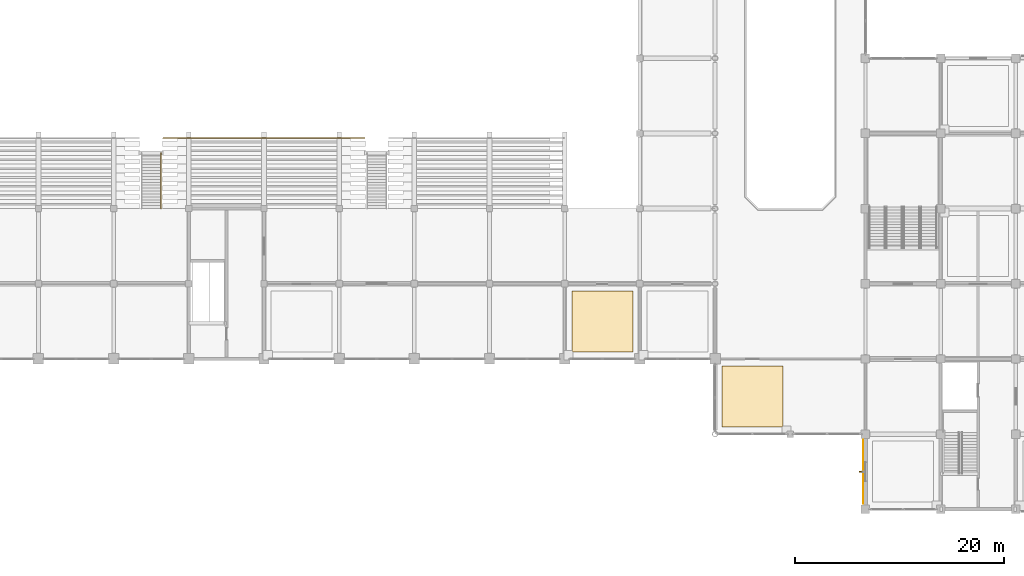
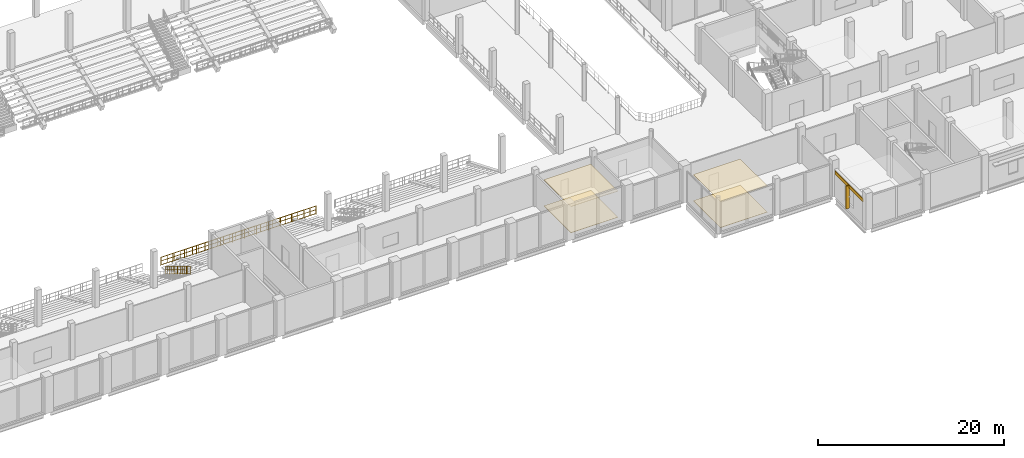
# One storey, part 84 of 99: 5 coverings, 2 railings, 1 shading device.
"""IFC4 building model written with IfcOpenShell, lengths in metres."""

from ifc_helpers import new_model, si_unit, direction, frame, frame_2d, origin, origin_2d, place, context, subcontext, project, spatial, polyline, rectangle, circle, outline, extrude, material, layer, layer_set, type_object, element, save


model = new_model("IFC4")

# Units and contexts
model_context = context("Model", 3, precision=1e-05, world=origin(), true_north=direction((0.0, 1.0)))
body_context = subcontext(model_context, "Body", "Model", "MODEL_VIEW")
ifc_project = project(units=[si_unit("LENGTHUNIT", "METRE"), si_unit("AREAUNIT", "SQUARE_METRE"), si_unit("VOLUMEUNIT", "CUBIC_METRE"), si_unit("PLANEANGLEUNIT", "RADIAN"), si_unit("MASSUNIT", "GRAM", prefix="KILO")], contexts=[model_context])

# Site, building, storey
site_placement = place(None, origin())
site = spatial("IfcSite", under=ifc_project, at=site_placement, CompositionType="ELEMENT")
building_placement = place(site_placement, origin())
building = spatial("IfcBuilding", under=site, at=building_placement, Name="Vesperath Aquatics Centre", CompositionType="ELEMENT")
storey_placement = place(building_placement, frame((0.0, 0.0, 5.39990234375)))
storey = spatial("IfcBuildingStorey", under=building, at=storey_placement, Name="L01", CompositionType="ELEMENT", Elevation=5.39990234375)

# Coverings
ifc_material_1 = material(Name="Teal and ochre glazed ceramic majolica frieze", Category="ceramic")
ifc_layer_1 = layer(ifc_material_1, 0.0400390625)
ifc_layer_set_1 = layer_set([ifc_layer_1], Name="Teal and ochre glazed ceramic majolica frieze")
covering_type_1 = type_object("IfcCoveringType", Name="CV-CLD01", PredefinedType="CLADDING", material=ifc_layer_set_1)
covering_1_placement = place(storey_placement, frame((114.989990234375, 0.550048828125, 3.090087890625), z_axis=(0.0, 0.0, 1.0), x_axis=(0.0, 1.0, 0.0)))
element("IfcCovering", 1, at=covering_1_placement, inside=storey, type_object=covering_type_1, Name="Majolica Ceramic Frieze CLD1 L01_W_16_00", PredefinedType="CLADDING", context=body_context, shape_type="SweptSolid", body=[
    extrude(rectangle(XDim=6.099853515625, YDim=0.0400390625, at=frame_2d((3.0498046875, 0.0))), origin(), (0.0, 0.0, 1.0), 0.469970703125),
])
ifc_material_2 = material(Name="Perforated moisture-resistant acoustic mineral-fibre ceiling", Category="gypsum")
ifc_layer_2 = layer(ifc_material_2, 0.044921875)
ifc_layer_set_2 = layer_set([ifc_layer_2], Name="Perforated moisture-resistant acoustic mineral-fibre ceiling")
covering_type_2 = type_object("IfcCoveringType", Name="CV-CLG01", PredefinedType="CEILING", material=ifc_layer_set_2)
covering_2_placement = place(storey_placement, frame((0.0, 0.0, 3.425048828125)))
element("IfcCovering", 2, at=covering_2_placement, inside=storey, type_object=covering_type_2, Name="Acoustic Suspended Ceiling CLG1 L01_SPEC_MWC", PredefinedType="CEILING", context=body_context, shape_type="SweptSolid", body=[
    extrude(outline(polyline([(87.080078125, 15.080078125), (92.919921875, 15.080078125), (92.919921875, 20.919921875), (87.080078125, 20.919921875), (87.080078125, 15.080078125)])), origin(), (0.0, 0.0, 1.0), 0.045166015625),
])
covering_3_placement = place(storey_placement, frame((0.0, 0.0, 3.425048828125)))
element("IfcCovering", 3, at=covering_3_placement, inside=storey, type_object=covering_type_2, Name="Acoustic Suspended Ceiling CLG1 L01_TEA_BAR", PredefinedType="CEILING", context=body_context, shape_type="SweptSolid", body=[
    extrude(outline(polyline([(101.47998046875, 7.8798828125), (107.320068359375, 7.8798828125), (107.320068359375, 13.719970703125), (101.47998046875, 13.719970703125), (101.47998046875, 7.8798828125)])), origin(), (0.0, 0.0, 1.0), 0.045166015625),
])
ifc_material_3 = material(Name="Slip-resistant vitrified ceramic and terrazzo flooring", Category="ceramic")
ifc_layer_3 = layer(ifc_material_3, 0.030029296875)
ifc_layer_set_3 = layer_set([ifc_layer_3], Name="Slip-resistant vitrified ceramic and terrazzo flooring")
covering_type_3 = type_object("IfcCoveringType", Name="CV-FLR01", PredefinedType="FLOORING", material=ifc_layer_set_3)
covering_4_placement = place(storey_placement, origin())
element("IfcCovering", 4, at=covering_4_placement, inside=storey, type_object=covering_type_3, Name="Slip-Resistant Floor Finish FLR1 L01_SPEC_MWC", PredefinedType="FLOORING", context=body_context, shape_type="SweptSolid", body=[
    extrude(outline(polyline([(87.080078125, 15.080078125), (92.919921875, 15.080078125), (92.919921875, 20.919921875), (87.080078125, 20.919921875), (87.080078125, 15.080078125)])), origin(), (0.0, 0.0, 1.0), 0.030029296875),
])
covering_5_placement = place(storey_placement, origin())
element("IfcCovering", 5, at=covering_5_placement, inside=storey, type_object=covering_type_3, Name="Slip-Resistant Floor Finish FLR1 L01_TEA_BAR", PredefinedType="FLOORING", context=body_context, shape_type="SweptSolid", body=[
    extrude(outline(polyline([(101.47998046875, 7.8798828125), (107.320068359375, 7.8798828125), (107.320068359375, 13.719970703125), (101.47998046875, 13.719970703125), (101.47998046875, 7.8798828125)])), origin(), (0.0, 0.0, 1.0), 0.030029296875),
])

# Railings
ifc_material_4 = material(Name="Powder-coated galvanized steel safety guard", Category="steel")
railing_type = type_object("IfcRailingType", Name="RL-GRD01", PredefinedType="GUARDRAIL", material=ifc_material_4)
railing_1_placement = place(storey_placement, frame((47.719970703125, 34.1201171875, -3.199951171875)))
element("IfcRailing", 6, at=railing_1_placement, inside=storey, type_object=railing_type, Name="Vomitory VOM-02 Guardrail GR02-E", PredefinedType="GUARDRAIL", context=body_context, shape_type="SweptSolid", body=[
    extrude(circle(Radius=0.02392578125, at=origin_2d()), frame((0.0, 0.0, 1.0859375), z_axis=(0.0, -0.85693029826, 0.515432307801), x_axis=(1.0, 0.0, 0.0)), (0.0, 0.0, 1.0), 6.208251953125),
    extrude(circle(Radius=0.01611328125, at=origin_2d()), frame((0.0, 0.0, 0.10009765625), z_axis=(0.0, -0.85693029826, 0.515432307801), x_axis=(1.0, 0.0, 0.0)), (0.0, 0.0, 1.0), 6.208251953125),
    extrude(circle(Radius=0.01611328125, at=origin_2d()), frame((0.0, 0.0, 0.610595703125), z_axis=(0.0, -0.85693029826, 0.515432307801), x_axis=(1.0, 0.0, 0.0)), (0.0, 0.0, 1.0), 6.208251953125),
    extrude(circle(Radius=0.009033203125, at=origin_2d()), frame((0.0, -0.09326171875, 0.15625)), (0.0, 0.0, 1.0), 0.9619140625),
    extrude(circle(Radius=0.009033203125, at=origin_2d()), frame((0.0, -0.280029296875, 0.2685546875)), (0.0, 0.0, 1.0), 0.9619140625),
    extrude(circle(Radius=0.009033203125, at=origin_2d()), frame((0.0, -0.466552734375, 0.380859375)), (0.0, 0.0, 1.0), 0.9619140625),
    extrude(circle(Radius=0.009033203125, at=origin_2d()), frame((0.0, -0.6533203125, 0.4931640625)), (0.0, 0.0, 1.0), 0.9619140625),
    extrude(circle(Radius=0.009033203125, at=origin_2d()), frame((0.0, -0.840087890625, 0.60546875)), (0.0, 0.0, 1.0), 0.9619140625),
    extrude(circle(Radius=0.009033203125, at=origin_2d()), frame((0.0, -1.026611328125, 0.717529296875)), (0.0, 0.0, 1.0), 0.9619140625),
    extrude(circle(Radius=0.009033203125, at=origin_2d()), frame((0.0, -1.21337890625, 0.829833984375)), (0.0, 0.0, 1.0), 0.9619140625),
    extrude(circle(Radius=0.009033203125, at=origin_2d()), frame((0.0, -1.39990234375, 0.942138671875)), (0.0, 0.0, 1.0), 0.9619140625),
    extrude(circle(Radius=0.009033203125, at=origin_2d()), frame((0.0, -1.586669921875, 1.054443359375)), (0.0, 0.0, 1.0), 0.9619140625),
    extrude(circle(Radius=0.009033203125, at=origin_2d()), frame((0.0, -1.7734375, 1.166748046875)), (0.0, 0.0, 1.0), 0.9619140625),
    extrude(circle(Radius=0.009033203125, at=origin_2d()), frame((0.0, -1.9599609375, 1.279052734375)), (0.0, 0.0, 1.0), 0.9619140625),
    extrude(circle(Radius=0.009033203125, at=origin_2d()), frame((0.0, -2.146728515625, 1.391357421875)), (0.0, 0.0, 1.0), 0.9619140625),
    extrude(circle(Radius=0.009033203125, at=origin_2d()), frame((0.0, -2.333251953125, 1.503662109375)), (0.0, 0.0, 1.0), 0.9619140625),
    extrude(circle(Radius=0.009033203125, at=origin_2d()), frame((0.0, -2.52001953125, 1.615966796875)), (0.0, 0.0, 1.0), 0.9619140625),
    extrude(circle(Radius=0.009033203125, at=origin_2d()), frame((0.0, -2.706787109375, 1.72802734375)), (0.0, 0.0, 1.0), 0.9619140625),
    extrude(circle(Radius=0.009033203125, at=origin_2d()), frame((0.0, -2.893310546875, 1.84033203125)), (0.0, 0.0, 1.0), 0.9619140625),
    extrude(circle(Radius=0.009033203125, at=origin_2d()), frame((0.0, -3.080078125, 1.95263671875)), (0.0, 0.0, 1.0), 0.9619140625),
    extrude(circle(Radius=0.009033203125, at=origin_2d()), frame((0.0, -3.2666015625, 2.06494140625)), (0.0, 0.0, 1.0), 0.9619140625),
    extrude(circle(Radius=0.009033203125, at=origin_2d()), frame((0.0, -3.453369140625, 2.17724609375)), (0.0, 0.0, 1.0), 0.9619140625),
    extrude(circle(Radius=0.009033203125, at=origin_2d()), frame((0.0, -3.64013671875, 2.28955078125)), (0.0, 0.0, 1.0), 0.9619140625),
    extrude(circle(Radius=0.009033203125, at=origin_2d()), frame((0.0, -3.82666015625, 2.40185546875)), (0.0, 0.0, 1.0), 0.9619140625),
    extrude(circle(Radius=0.009033203125, at=origin_2d()), frame((0.0, -4.013427734375, 2.51416015625)), (0.0, 0.0, 1.0), 0.9619140625),
    extrude(circle(Radius=0.009033203125, at=origin_2d()), frame((0.0, -4.199951171875, 2.62646484375)), (0.0, 0.0, 1.0), 0.9619140625),
    extrude(circle(Radius=0.009033203125, at=origin_2d()), frame((0.0, -4.38671875, 2.73876953125)), (0.0, 0.0, 1.0), 0.9619140625),
    extrude(circle(Radius=0.009033203125, at=origin_2d()), frame((0.0, -4.573486328125, 2.850830078125)), (0.0, 0.0, 1.0), 0.9619140625),
    extrude(circle(Radius=0.009033203125, at=origin_2d()), frame((0.0, -4.760009765625, 2.963134765625)), (0.0, 0.0, 1.0), 0.9619140625),
    extrude(circle(Radius=0.009033203125, at=origin_2d()), frame((0.0, -4.94677734375, 3.075439453125)), (0.0, 0.0, 1.0), 0.9619140625),
    extrude(circle(Radius=0.009033203125, at=origin_2d()), frame((0.0, -5.13330078125, 3.187744140625)), (0.0, 0.0, 1.0), 0.9619140625),
    extrude(circle(Radius=0.02197265625, at=origin_2d()), origin(), (0.0, 0.0, 1.0), 1.0859375),
    extrude(circle(Radius=0.02197265625, at=origin_2d()), frame((0.0, -0.88671875, 0.533203125)), (0.0, 0.0, 1.0), 1.0859375),
    extrude(circle(Radius=0.02197265625, at=origin_2d()), frame((0.0, -1.7734375, 1.066650390625)), (0.0, 0.0, 1.0), 1.0859375),
    extrude(circle(Radius=0.02197265625, at=origin_2d()), frame((0.0, -2.66015625, 1.60009765625)), (0.0, 0.0, 1.0), 1.0859375),
    extrude(circle(Radius=0.02197265625, at=origin_2d()), frame((0.0, -3.546630859375, 2.13330078125)), (0.0, 0.0, 1.0), 1.0859375),
    extrude(circle(Radius=0.02197265625, at=origin_2d()), frame((0.0, -4.433349609375, 2.66650390625)), (0.0, 0.0, 1.0), 1.0859375),
    extrude(circle(Radius=0.02197265625, at=origin_2d()), frame((0.0, -5.320068359375, 3.199951171875)), (0.0, 0.0, 1.0), 1.0859375),
])
railing_2_placement = place(storey_placement, frame((47.949951171875, 35.550048828125, -3.0)))
element("IfcRailing", 7, at=railing_2_placement, inside=storey, type_object=railing_type, Name="Safety Guardrail GR02 GRD_L01_BOWL_S3", PredefinedType="GUARDRAIL", context=body_context, shape_type="SweptSolid", body=[
    extrude(circle(Radius=0.02392578125, at=origin_2d()), frame((0.0, 0.0, 1.0859375), z_axis=(1.0, 0.0, 0.0), x_axis=(0.0, 1.0, 0.0)), (0.0, 0.0, 1.0), 19.300048828125),
    extrude(circle(Radius=0.01611328125, at=origin_2d()), frame((0.0, 0.0, 0.10009765625), z_axis=(1.0, 0.0, 0.0), x_axis=(0.0, 1.0, 0.0)), (0.0, 0.0, 1.0), 19.300048828125),
    extrude(circle(Radius=0.01611328125, at=origin_2d()), frame((0.0, 0.0, 0.610595703125), z_axis=(1.0, 0.0, 0.0), x_axis=(0.0, 1.0, 0.0)), (0.0, 0.0, 1.0), 19.300048828125),
    extrude(circle(Radius=0.009033203125, at=origin_2d()), frame((0.109619140625, 0.0, 0.10009765625)), (0.0, 0.0, 1.0), 0.9619140625),
    extrude(circle(Radius=0.009033203125, at=origin_2d()), frame((0.877197265625, 0.0, 0.10009765625)), (0.0, 0.0, 1.0), 0.9619140625),
    extrude(circle(Radius=0.009033203125, at=origin_2d()), frame((1.644775390625, 0.0, 0.10009765625)), (0.0, 0.0, 1.0), 0.9619140625),
    extrude(circle(Radius=0.009033203125, at=origin_2d()), frame((2.41259765625, 0.0, 0.10009765625)), (0.0, 0.0, 1.0), 0.9619140625),
    extrude(circle(Radius=0.009033203125, at=origin_2d()), frame((3.18017578125, 0.0, 0.10009765625)), (0.0, 0.0, 1.0), 0.9619140625),
    extrude(circle(Radius=0.009033203125, at=origin_2d()), frame((3.94775390625, 0.0, 0.10009765625)), (0.0, 0.0, 1.0), 0.9619140625),
    extrude(circle(Radius=0.009033203125, at=origin_2d()), frame((4.71533203125, 0.0, 0.10009765625)), (0.0, 0.0, 1.0), 0.9619140625),
    extrude(circle(Radius=0.009033203125, at=origin_2d()), frame((5.48291015625, 0.0, 0.10009765625)), (0.0, 0.0, 1.0), 0.9619140625),
    extrude(circle(Radius=0.009033203125, at=origin_2d()), frame((6.25048828125, 0.0, 0.10009765625)), (0.0, 0.0, 1.0), 0.9619140625),
    extrude(circle(Radius=0.009033203125, at=origin_2d()), frame((7.018310546875, 0.0, 0.10009765625)), (0.0, 0.0, 1.0), 0.9619140625),
    extrude(circle(Radius=0.009033203125, at=origin_2d()), frame((7.785888671875, 0.0, 0.10009765625)), (0.0, 0.0, 1.0), 0.9619140625),
    extrude(circle(Radius=0.009033203125, at=origin_2d()), frame((8.553466796875, 0.0, 0.10009765625)), (0.0, 0.0, 1.0), 0.9619140625),
    extrude(circle(Radius=0.009033203125, at=origin_2d()), frame((9.321044921875, 0.0, 0.10009765625)), (0.0, 0.0, 1.0), 0.9619140625),
    extrude(circle(Radius=0.009033203125, at=origin_2d()), frame((10.088623046875, 0.0, 0.10009765625)), (0.0, 0.0, 1.0), 0.9619140625),
    extrude(circle(Radius=0.009033203125, at=origin_2d()), frame((10.856201171875, 0.0, 0.10009765625)), (0.0, 0.0, 1.0), 0.9619140625),
    extrude(circle(Radius=0.009033203125, at=origin_2d()), frame((11.623779296875, 0.0, 0.10009765625)), (0.0, 0.0, 1.0), 0.9619140625),
    extrude(circle(Radius=0.009033203125, at=origin_2d()), frame((12.3916015625, 0.0, 0.10009765625)), (0.0, 0.0, 1.0), 0.9619140625),
    extrude(circle(Radius=0.009033203125, at=origin_2d()), frame((13.1591796875, 0.0, 0.10009765625)), (0.0, 0.0, 1.0), 0.9619140625),
    extrude(circle(Radius=0.009033203125, at=origin_2d()), frame((13.9267578125, 0.0, 0.10009765625)), (0.0, 0.0, 1.0), 0.9619140625),
    extrude(circle(Radius=0.009033203125, at=origin_2d()), frame((14.6943359375, 0.0, 0.10009765625)), (0.0, 0.0, 1.0), 0.9619140625),
    extrude(circle(Radius=0.009033203125, at=origin_2d()), frame((15.4619140625, 0.0, 0.10009765625)), (0.0, 0.0, 1.0), 0.9619140625),
    extrude(circle(Radius=0.009033203125, at=origin_2d()), frame((16.2294921875, 0.0, 0.10009765625)), (0.0, 0.0, 1.0), 0.9619140625),
    extrude(circle(Radius=0.009033203125, at=origin_2d()), frame((16.997314453125, 0.0, 0.10009765625)), (0.0, 0.0, 1.0), 0.9619140625),
    extrude(circle(Radius=0.009033203125, at=origin_2d()), frame((17.764892578125, 0.0, 0.10009765625)), (0.0, 0.0, 1.0), 0.9619140625),
    extrude(circle(Radius=0.009033203125, at=origin_2d()), frame((18.532470703125, 0.0, 0.10009765625)), (0.0, 0.0, 1.0), 0.9619140625),
    extrude(circle(Radius=0.02197265625, at=origin_2d()), origin(), (0.0, 0.0, 1.0), 1.0859375),
    extrude(circle(Radius=0.02197265625, at=origin_2d()), frame((1.484619140625, 0.0, 0.0)), (0.0, 0.0, 1.0), 1.0859375),
    extrude(circle(Radius=0.02197265625, at=origin_2d()), frame((2.96923828125, 0.0, 0.0)), (0.0, 0.0, 1.0), 1.0859375),
    extrude(circle(Radius=0.02197265625, at=origin_2d()), frame((4.453857421875, 0.0, 0.0)), (0.0, 0.0, 1.0), 1.0859375),
    extrude(circle(Radius=0.02197265625, at=origin_2d()), frame((5.9384765625, 0.0, 0.0)), (0.0, 0.0, 1.0), 1.0859375),
    extrude(circle(Radius=0.02197265625, at=origin_2d()), frame((7.423095703125, 0.0, 0.0)), (0.0, 0.0, 1.0), 1.0859375),
    extrude(circle(Radius=0.02197265625, at=origin_2d()), frame((8.90771484375, 0.0, 0.0)), (0.0, 0.0, 1.0), 1.0859375),
    extrude(circle(Radius=0.02197265625, at=origin_2d()), frame((10.392333984375, 0.0, 0.0)), (0.0, 0.0, 1.0), 1.0859375),
    extrude(circle(Radius=0.02197265625, at=origin_2d()), frame((11.876953125, 0.0, 0.0)), (0.0, 0.0, 1.0), 1.0859375),
    extrude(circle(Radius=0.02197265625, at=origin_2d()), frame((13.361572265625, 0.0, 0.0)), (0.0, 0.0, 1.0), 1.0859375),
    extrude(circle(Radius=0.02197265625, at=origin_2d()), frame((14.84619140625, 0.0, 0.0)), (0.0, 0.0, 1.0), 1.0859375),
    extrude(circle(Radius=0.02197265625, at=origin_2d()), frame((16.330810546875, 0.0, 0.0)), (0.0, 0.0, 1.0), 1.0859375),
    extrude(circle(Radius=0.02197265625, at=origin_2d()), frame((17.8154296875, 0.0, 0.0)), (0.0, 0.0, 1.0), 1.0859375),
    extrude(circle(Radius=0.02197265625, at=origin_2d()), frame((19.300048828125, 0.0, 0.0)), (0.0, 0.0, 1.0), 1.0859375),
])

# Shading device
ifc_material_5 = material(Name="Perforated bronze botanical solar fin", Category="aluminium")
shading_device_type = type_object("IfcShadingDeviceType", Name="SH-FIN01", PredefinedType="USERDEFINED", material=ifc_material_5)
shading_device_placement = place(storey_placement, frame((114.800048828125, 3.60009765625, 0.5), z_axis=(0.0, 0.0, 1.0), x_axis=(1.0, 0.0, 0.0)))
element("IfcShadingDevice", 8, at=shading_device_placement, inside=storey, type_object=shading_device_type, Name="Botanical Bronze Solar Fin FN01 L01_W_16_00", ObjectType="FIN", PredefinedType="USERDEFINED", context=body_context, shape_type="SweptSolid", body=[
    extrude(rectangle(XDim=0.419921875, YDim=0.1201171875, at=origin_2d()), origin(), (0.0, 0.0, 1.0), 3.0),
])

save(model, "model.ifc")
